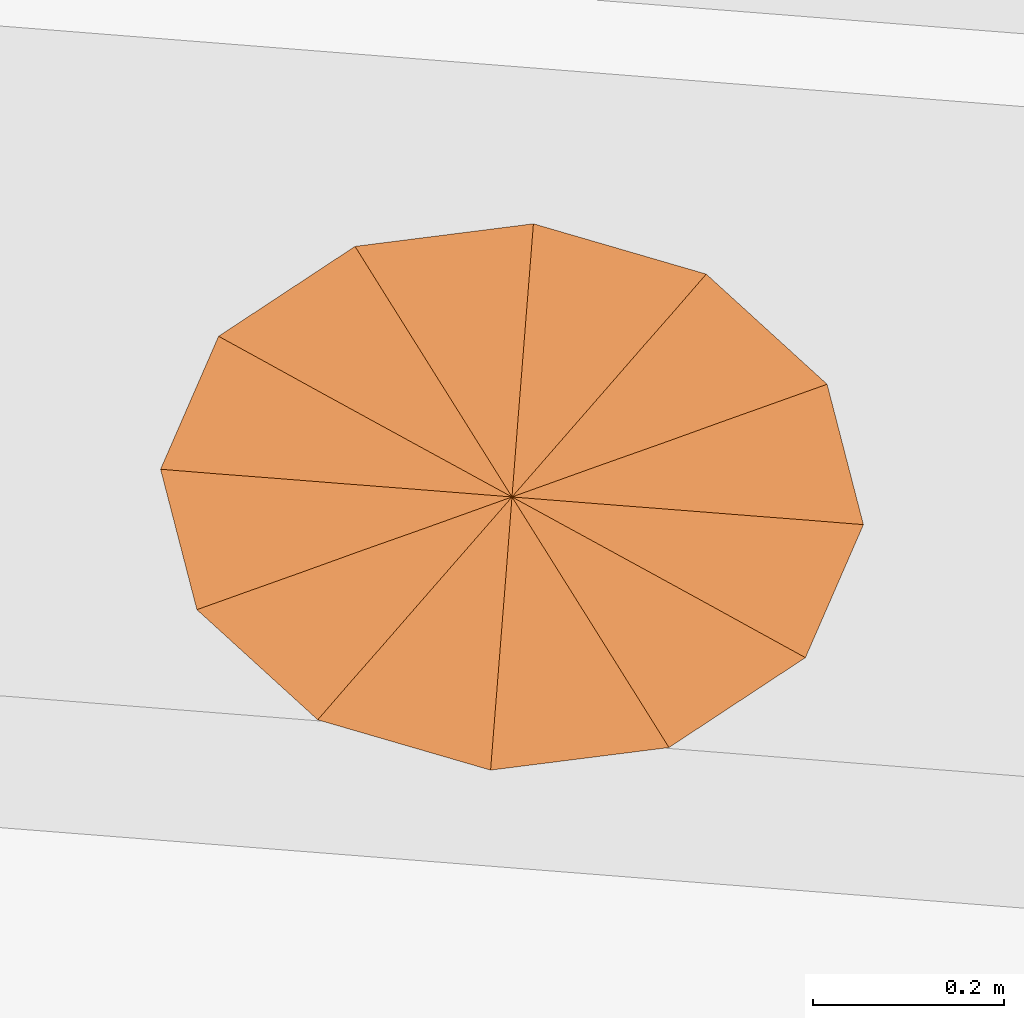
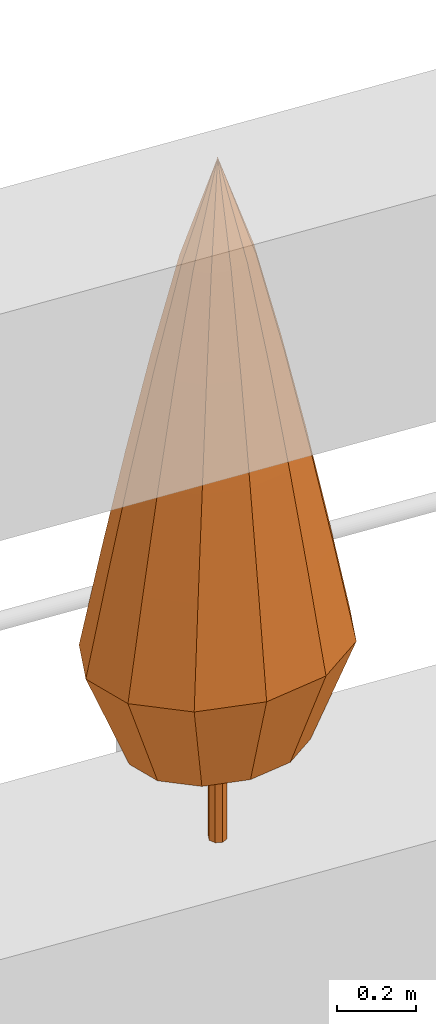
# One storey, part 12 of 12: 1 geographic element.
"""IFC4 building model written with IfcOpenShell, lengths in metres."""

from ifc_helpers import new_model, si_unit, direction, frame, origin, place, context, subcontext, project, spatial, faceted_brep, material, constituent, constituent_set, type_object, element, save


model = new_model("IFC4")

# Units and contexts
model_context = context("Model", 3, precision=1e-05, world=origin(), true_north=direction((0.0, 1.0)))
body_context = subcontext(model_context, "Body", "Model", "MODEL_VIEW")
ifc_project = project(units=[si_unit("LENGTHUNIT", "METRE"), si_unit("AREAUNIT", "SQUARE_METRE"), si_unit("VOLUMEUNIT", "CUBIC_METRE"), si_unit("PLANEANGLEUNIT", "RADIAN"), si_unit("MASSUNIT", "GRAM", prefix="KILO")], contexts=[model_context])

# Site, building, storey
site_placement = place(None, origin())
site = spatial("IfcSite", under=ifc_project, at=site_placement, CompositionType="ELEMENT")
building_placement = place(site_placement, origin())
building = spatial("IfcBuilding", under=site, at=building_placement, Name="Taillehof Tower", CompositionType="ELEMENT")
storey_placement = place(building_placement, frame((0.0, 0.0, 225.5)))
storey = spatial("IfcBuildingStorey", under=building, at=storey_placement, Name="L64", CompositionType="ELEMENT", Elevation=225.5)

# Geographic element
ifc_material_1 = material(Name="Tree bark", Category="timber")
ifc_constituent_1 = constituent(ifc_material_1, Name="Trunk", Category="timber")
ifc_material_2 = material(Name="Tree foliage")
ifc_constituent_2 = constituent(ifc_material_2, Name="Crown")
ifc_constituent_set = constituent_set(constituents=[ifc_constituent_1, ifc_constituent_2], Name="Tree TR5 Columnar juniper")
geographic_element_type = type_object("IfcGeographicElementType", Name="Tree TR5 Columnar juniper", PredefinedType="USERDEFINED", material=ifc_constituent_set)
geographic_element_placement = place(storey_placement, frame((2.955322265625, 24.110595703125, 0.75)))
element("IfcGeographicElement", 1, at=geographic_element_placement, inside=storey, type_object=geographic_element_type, Name="Tree TR5 Columnar juniper", ObjectType="TREE", PredefinedType="USERDEFINED", context=body_context, shape_type="Brep", body=[
    faceted_brep([(0.02490234375, 0.0, 0.0), (0.017578125, 0.017578125, 0.0), (0.017578125, 0.017578125, 0.929931640625), (0.02490234375, 0.0, 0.929931640625), (0.0, 0.02490234375, 0.0), (0.0, 0.02490234375, 0.929931640625), (-0.017578125, 0.017578125, 0.0), (-0.017578125, 0.017578125, 0.929931640625), (-0.02490234375, 0.0, 0.0), (-0.02490234375, 0.0, 0.929931640625), (-0.017578125, -0.017578125, 0.0), (-0.017578125, -0.017578125, 0.929931640625), (0.0, -0.02490234375, 0.0), (0.0, -0.02490234375, 0.929931640625), (0.017578125, -0.017578125, 0.0), (0.017578125, -0.017578125, 0.929931640625)], [[[0, 1, 2, 3]], [[1, 4, 5, 2]], [[4, 6, 7, 5]], [[6, 8, 9, 7]], [[8, 10, 11, 9]], [[10, 12, 13, 11]], [[12, 14, 15, 13]], [[14, 0, 3, 15]], [[14, 12, 10, 8, 6, 4, 1, 0]], [[3, 2, 5, 7, 9, 11, 13, 15]]]),
    faceted_brep([(-0.246826171875, 0.01953125, 0.300048828125), (-0.22119140625, -0.0791015625, 0.300048828125), (-0.330322265625, -0.1181640625, 0.60009765625), (-0.368408203125, 0.029052734375, 0.60009765625), (-0.136474609375, -0.156494140625, 0.300048828125), (-0.20361328125, -0.233642578125, 0.60009765625), (-0.01513671875, -0.19189453125, 0.300048828125), (-0.0224609375, -0.286376953125, 0.60009765625), (0.1103515625, -0.176025390625, 0.300048828125), (0.16455078125, -0.2626953125, 0.60009765625), (0.2060546875, -0.11279296875, 0.300048828125), (0.3076171875, -0.16845703125, 0.60009765625), (0.246826171875, -0.01953125, 0.300048828125), (0.368408203125, -0.029052734375, 0.60009765625), (0.22119140625, 0.0791015625, 0.300048828125), (0.330322265625, 0.1181640625, 0.60009765625), (0.136474609375, 0.156494140625, 0.300048828125), (0.20361328125, 0.233642578125, 0.60009765625), (0.01513671875, 0.19189453125, 0.300048828125), (0.0224609375, 0.286376953125, 0.60009765625), (-0.1103515625, 0.176025390625, 0.300048828125), (-0.16455078125, 0.2626953125, 0.60009765625), (-0.2060546875, 0.11279296875, 0.300048828125), (-0.3076171875, 0.16845703125, 0.60009765625), (-0.2763671875, -0.098876953125, 0.89990234375), (-0.30810546875, 0.024169921875, 0.89990234375), (-0.17041015625, -0.1953125, 0.89990234375), (-0.018798828125, -0.23974609375, 0.89990234375), (0.1376953125, -0.2197265625, 0.89990234375), (0.25732421875, -0.140869140625, 0.89990234375), (0.30810546875, -0.024169921875, 0.89990234375), (0.2763671875, 0.098876953125, 0.89990234375), (0.17041015625, 0.1953125, 0.89990234375), (0.018798828125, 0.23974609375, 0.89990234375), (-0.1376953125, 0.2197265625, 0.89990234375), (-0.25732421875, 0.140869140625, 0.89990234375), (-0.219482421875, -0.07861328125, 1.199951171875), (-0.244873046875, 0.019287109375, 1.199951171875), (-0.13525390625, -0.1552734375, 1.199951171875), (-0.014892578125, -0.1904296875, 1.199951171875), (0.109375, -0.174560546875, 1.199951171875), (0.20458984375, -0.11181640625, 1.199951171875), (0.244873046875, -0.019287109375, 1.199951171875), (0.219482421875, 0.07861328125, 1.199951171875), (0.13525390625, 0.1552734375, 1.199951171875), (0.014892578125, 0.1904296875, 1.199951171875), (-0.109375, 0.174560546875, 1.199951171875), (-0.20458984375, 0.11181640625, 1.199951171875), (-0.15869140625, -0.056640625, 1.5), (-0.177001953125, 0.013916015625, 1.5), (-0.097900390625, -0.1123046875, 1.5), (-0.0107421875, -0.1376953125, 1.5), (0.0791015625, -0.126220703125, 1.5), (0.14794921875, -0.080810546875, 1.5), (0.177001953125, -0.013916015625, 1.5), (0.15869140625, 0.056640625, 1.5), (0.097900390625, 0.1123046875, 1.5), (0.0107421875, 0.1376953125, 1.5), (-0.0791015625, 0.126220703125, 1.5), (-0.14794921875, 0.080810546875, 1.5), (-0.091064453125, -0.03271484375, 1.800048828125), (-0.1015625, 0.008056640625, 1.800048828125), (-0.05615234375, -0.064453125, 1.800048828125), (-0.006103515625, -0.0791015625, 1.800048828125), (0.04541015625, -0.072509765625, 1.800048828125), (0.0849609375, -0.04638671875, 1.800048828125), (0.1015625, -0.008056640625, 1.800048828125), (0.091064453125, 0.03271484375, 1.800048828125), (0.05615234375, 0.064453125, 1.800048828125), (0.006103515625, 0.0791015625, 1.800048828125), (-0.04541015625, 0.072509765625, 1.800048828125), (-0.0849609375, 0.04638671875, 1.800048828125), (0.0, 0.0, 2.10009765625)], [[[0, 1, 2, 3]], [[1, 4, 5, 2]], [[4, 6, 7, 5]], [[6, 8, 9, 7]], [[8, 10, 11, 9]], [[10, 12, 13, 11]], [[12, 14, 15, 13]], [[14, 16, 17, 15]], [[16, 18, 19, 17]], [[18, 20, 21, 19]], [[20, 22, 23, 21]], [[22, 0, 3, 23]], [[3, 2, 24, 25]], [[2, 5, 26, 24]], [[5, 7, 27, 26]], [[7, 9, 28, 27]], [[9, 11, 29, 28]], [[11, 13, 30, 29]], [[13, 15, 31, 30]], [[15, 17, 32, 31]], [[17, 19, 33, 32]], [[19, 21, 34, 33]], [[21, 23, 35, 34]], [[23, 3, 25, 35]], [[25, 24, 36, 37]], [[24, 26, 38, 36]], [[26, 27, 39, 38]], [[27, 28, 40, 39]], [[28, 29, 41, 40]], [[29, 30, 42, 41]], [[30, 31, 43, 42]], [[31, 32, 44, 43]], [[32, 33, 45, 44]], [[33, 34, 46, 45]], [[34, 35, 47, 46]], [[35, 25, 37, 47]], [[37, 36, 48, 49]], [[36, 38, 50, 48]], [[38, 39, 51, 50]], [[39, 40, 52, 51]], [[40, 41, 53, 52]], [[41, 42, 54, 53]], [[42, 43, 55, 54]], [[43, 44, 56, 55]], [[44, 45, 57, 56]], [[45, 46, 58, 57]], [[46, 47, 59, 58]], [[47, 37, 49, 59]], [[49, 48, 60, 61]], [[48, 50, 62, 60]], [[50, 51, 63, 62]], [[51, 52, 64, 63]], [[52, 53, 65, 64]], [[53, 54, 66, 65]], [[54, 55, 67, 66]], [[55, 56, 68, 67]], [[56, 57, 69, 68]], [[57, 58, 70, 69]], [[58, 59, 71, 70]], [[59, 49, 61, 71]], [[61, 60, 72]], [[60, 62, 72]], [[62, 63, 72]], [[63, 64, 72]], [[64, 65, 72]], [[65, 66, 72]], [[66, 67, 72]], [[67, 68, 72]], [[68, 69, 72]], [[69, 70, 72]], [[70, 71, 72]], [[71, 61, 72]], [[22, 20, 18, 16, 14, 12, 10, 8, 6, 4, 1, 0]]]),
])

save(model, "model.ifc")
